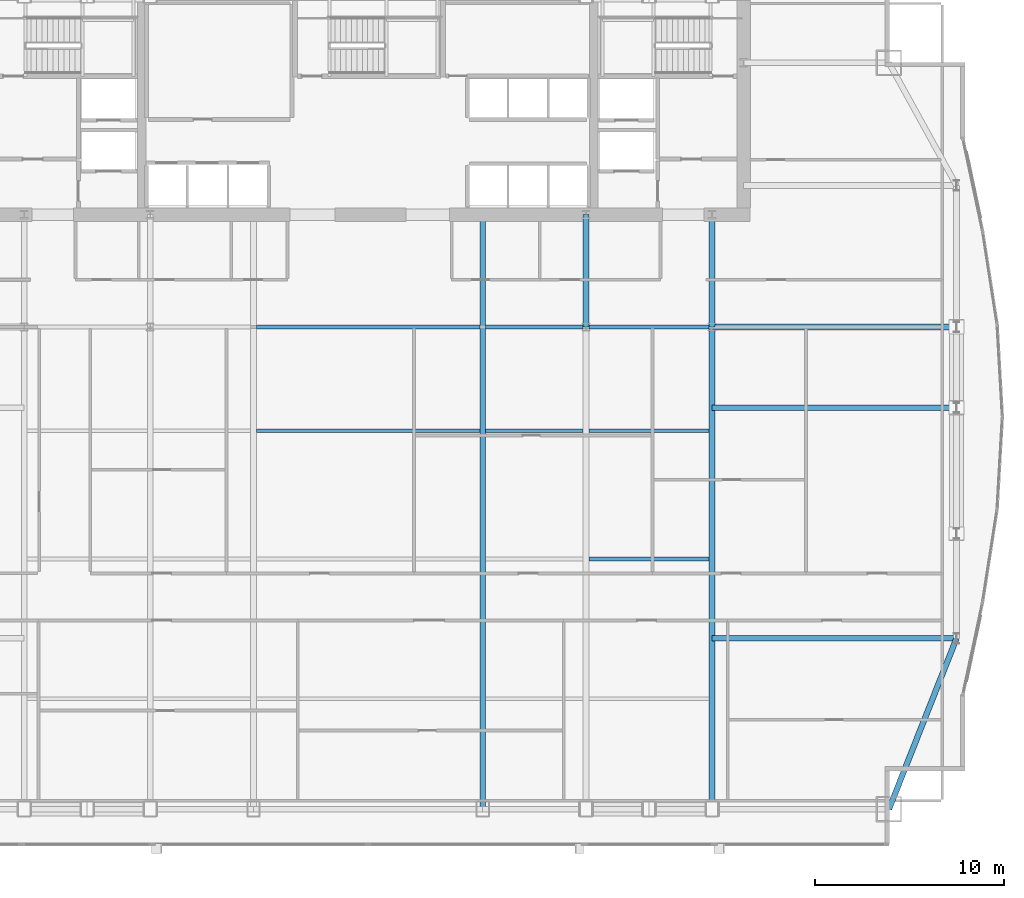
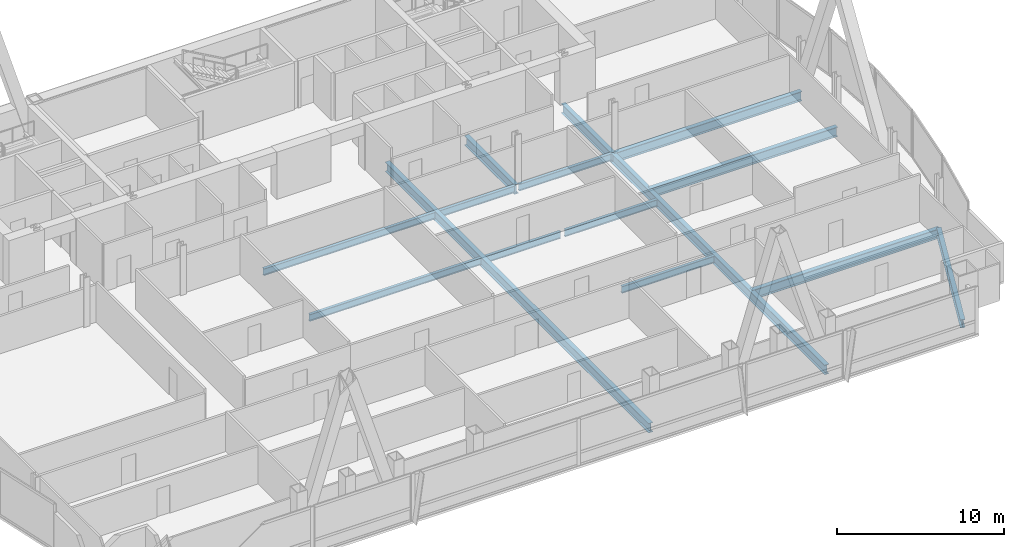
# One storey, part 16 of 30: 15 beams.
"""IFC4 building model written with IfcOpenShell, lengths in metres."""

from ifc_helpers import new_model, si_unit, direction, frame, origin, origin_2d, place, context, subcontext, project, spatial, i_section, extrude, material, material_profile, profile_set, type_object, element, save


model = new_model("IFC4")

# Units and contexts
model_context = context("Model", 3, precision=1e-05, world=origin(), true_north=direction((0.0, 1.0)))
body_context = subcontext(model_context, "Body", "Model", "MODEL_VIEW")
ifc_project = project(units=[si_unit("LENGTHUNIT", "METRE"), si_unit("AREAUNIT", "SQUARE_METRE"), si_unit("VOLUMEUNIT", "CUBIC_METRE"), si_unit("PLANEANGLEUNIT", "RADIAN"), si_unit("MASSUNIT", "GRAM", prefix="KILO")], contexts=[model_context])

# Site, building, storey
site_placement = place(None, origin())
site = spatial("IfcSite", under=ifc_project, at=site_placement, CompositionType="ELEMENT")
building_placement = place(site_placement, origin())
building = spatial("IfcBuilding", under=site, at=building_placement, Name="Khoronbel Lancet Exchange", CompositionType="ELEMENT")
storey_placement = place(building_placement, frame((0.0, 0.0, 157.800048828125)))
storey = spatial("IfcBuildingStorey", under=building, at=storey_placement, Name="L39", CompositionType="ELEMENT", Elevation=157.800048828125)

# Beams
ifc_material = material(Name="Steel S355", Category="steel")
ifc_material_profile_1 = material_profile(ifc_material, i_section(OverallWidth=0.300048828125, OverallDepth=0.699951171875, WebThickness=0.01708984375, FlangeThickness=0.031982421875, at=origin_2d()), Name="HEB 700")
ifc_profile_set_1 = profile_set([ifc_material_profile_1], Name="Steel S355")
beam_type_1 = type_object("IfcBeamType", Name="BM-BG3", PredefinedType="BEAM", material=ifc_profile_set_1)
beam_1_placement = place(storey_placement, frame((42.52490234375, 10.14990234375, -0.510009765625), z_axis=(0.0, 1.0, 0.0), x_axis=(-1.0, 0.0, 0.0)))
element("IfcBeam", 1, at=beam_1_placement, inside=storey, type_object=beam_type_1, Name="Level L39 primary floor girder G4", PredefinedType="BEAM", context=body_context, shape_type="SweptSolid", body=[
    extrude(i_section(OverallWidth=0.300048828125, OverallDepth=0.699951171875, WebThickness=0.01708984375, FlangeThickness=0.031982421875, at=origin_2d()), origin(), (0.0, 0.0, 1.0), 31.5),
])
beam_2_placement = place(storey_placement, frame((48.0, 35.699951171875, -0.510009765625), z_axis=(0.0, 1.0, 0.0), x_axis=(-1.0, 0.0, 0.0)))
element("IfcBeam", 2, at=beam_2_placement, inside=storey, type_object=beam_type_1, Name="Level L39 spine tie girder GN5", PredefinedType="BEAM", context=body_context, shape_type="SweptSolid", body=[
    extrude(i_section(OverallWidth=0.300048828125, OverallDepth=0.699951171875, WebThickness=0.01708984375, FlangeThickness=0.031982421875, at=origin_2d()), origin(), (0.0, 0.0, 1.0), 5.949951171875),
])
beam_3_placement = place(storey_placement, frame((54.675048828125, 10.14990234375, -0.510009765625), z_axis=(0.0, 1.0, 0.0), x_axis=(-1.0, 0.0, 0.0)))
element("IfcBeam", 3, at=beam_3_placement, inside=storey, type_object=beam_type_1, Name="Level L39 south primary girder GS6", PredefinedType="BEAM", context=body_context, shape_type="SweptSolid", body=[
    extrude(i_section(OverallWidth=0.300048828125, OverallDepth=0.699951171875, WebThickness=0.01708984375, FlangeThickness=0.031982421875, at=origin_2d()), origin(), (0.0, 0.0, 1.0), 25.550048828125),
])
beam_4_placement = place(storey_placement, frame((54.675048828125, 35.699951171875, -0.510009765625), z_axis=(0.0, 1.0, 0.0), x_axis=(-1.0, 0.0, 0.0)))
element("IfcBeam", 4, at=beam_4_placement, inside=storey, type_object=beam_type_1, Name="Level L39 spine tie girder GN6", PredefinedType="BEAM", context=body_context, shape_type="SweptSolid", body=[
    extrude(i_section(OverallWidth=0.300048828125, OverallDepth=0.699951171875, WebThickness=0.01708984375, FlangeThickness=0.031982421875, at=origin_2d()), origin(), (0.0, 0.0, 1.0), 5.949951171875),
])
for number, where, z_axis, x_axis, name in (
    (5, (54.675048828125, 19.199951171875, -0.510009765625), (1.0, 0.0, 0.0), (0.0, 1.0, 0.0), "Level L39 east lens tie girder LG1E"),
    (6, (54.675048828125, 31.425048828125, -0.510009765625), (1.0, 0.0, 0.0), (0.0, 1.0, 0.0), "Level L39 east lens tie girder LG2E"),
    (7, (54.675048828125, 35.699951171875, -0.510009765625), (1.0, 0.0, 0.0), (0.0, 1.0, 0.0), "Level L39 east lens tie girder LG4E"),
):
    element("IfcBeam", number, at=place(storey_placement, frame(where, z_axis=z_axis, x_axis=x_axis)), inside=storey, type_object=beam_type_1, Name=name, PredefinedType="BEAM", context=body_context, shape_type="SweptSolid", body=[
        extrude(i_section(OverallWidth=0.300048828125, OverallDepth=0.699951171875, WebThickness=0.01708984375, FlangeThickness=0.031982421875, at=origin_2d()), origin(), (0.0, 0.0, 1.0), 12.954833984375),
    ])
ifc_material_profile_2 = material_profile(ifc_material, i_section(OverallWidth=0.199951171875, OverallDepth=0.5, WebThickness=0.01025390625, FlangeThickness=0.01611328125, at=origin_2d()), Name="IPE 500")
ifc_profile_set_2 = profile_set([ifc_material_profile_2], Name="Steel S355")
beam_type_2 = type_object("IfcBeamType", Name="BM-BJ3", PredefinedType="JOIST", material=ifc_profile_set_2)
beam_5_placement = place(storey_placement, frame((48.14990234375, 23.39990234375, -0.41015625), z_axis=(1.0, 0.0, 0.0), x_axis=(0.0, 1.0, 0.0)))
element("IfcBeam", 8, at=beam_5_placement, inside=storey, type_object=beam_type_2, Name="Level L39 secondary composite joist J10", PredefinedType="JOIST", context=body_context, shape_type="SweptSolid", body=[
    extrude(i_section(OverallWidth=0.199951171875, OverallDepth=0.5, WebThickness=0.01025390625, FlangeThickness=0.01611328125, at=origin_2d()), origin(), (0.0, 0.0, 1.0), 6.375),
])
beam_6_placement = place(storey_placement, frame((30.52490234375, 30.199951171875, -0.41015625), z_axis=(1.0, 0.0, 0.0), x_axis=(0.0, 1.0, 0.0)))
element("IfcBeam", 9, at=beam_6_placement, inside=storey, type_object=beam_type_2, Name="Level L39 secondary composite joist J13", PredefinedType="JOIST", context=body_context, shape_type="SweptSolid", body=[
    extrude(i_section(OverallWidth=0.199951171875, OverallDepth=0.5, WebThickness=0.01025390625, FlangeThickness=0.01611328125, at=origin_2d()), origin(), (0.0, 0.0, 1.0), 11.85009765625),
])
beam_7_placement = place(storey_placement, frame((42.675048828125, 30.199951171875, -0.41015625), z_axis=(1.0, 0.0, 0.0), x_axis=(0.0, 1.0, 0.0)))
element("IfcBeam", 10, at=beam_7_placement, inside=storey, type_object=beam_type_2, Name="Level L39 secondary composite joist J14", PredefinedType="JOIST", context=body_context, shape_type="SweptSolid", body=[
    extrude(i_section(OverallWidth=0.199951171875, OverallDepth=0.5, WebThickness=0.01025390625, FlangeThickness=0.01611328125, at=origin_2d()), origin(), (0.0, 0.0, 1.0), 5.175048828125),
])
beam_8_placement = place(storey_placement, frame((48.14990234375, 30.199951171875, -0.41015625), z_axis=(1.0, 0.0, 0.0), x_axis=(0.0, 1.0, 0.0)))
element("IfcBeam", 11, at=beam_8_placement, inside=storey, type_object=beam_type_2, Name="Level L39 secondary composite joist J15", PredefinedType="JOIST", context=body_context, shape_type="SweptSolid", body=[
    extrude(i_section(OverallWidth=0.199951171875, OverallDepth=0.5, WebThickness=0.01025390625, FlangeThickness=0.01611328125, at=origin_2d()), origin(), (0.0, 0.0, 1.0), 6.375),
])
beam_9_placement = place(storey_placement, frame((30.52490234375, 35.699951171875, -0.41015625), z_axis=(1.0, 0.0, 0.0), x_axis=(0.0, 1.0, 0.0)))
element("IfcBeam", 12, at=beam_9_placement, inside=storey, type_object=beam_type_2, Name="Level L39 secondary composite joist J18", PredefinedType="JOIST", context=body_context, shape_type="SweptSolid", body=[
    extrude(i_section(OverallWidth=0.199951171875, OverallDepth=0.5, WebThickness=0.01025390625, FlangeThickness=0.01611328125, at=origin_2d()), origin(), (0.0, 0.0, 1.0), 11.85009765625),
])
beam_10_placement = place(storey_placement, frame((42.675048828125, 35.699951171875, -0.41015625), z_axis=(1.0, 0.0, 0.0), x_axis=(0.0, 1.0, 0.0)))
element("IfcBeam", 13, at=beam_10_placement, inside=storey, type_object=beam_type_2, Name="Level L39 secondary composite joist J19", PredefinedType="JOIST", context=body_context, shape_type="SweptSolid", body=[
    extrude(i_section(OverallWidth=0.199951171875, OverallDepth=0.5, WebThickness=0.01025390625, FlangeThickness=0.01611328125, at=origin_2d()), origin(), (0.0, 0.0, 1.0), 5.175048828125),
])
beam_11_placement = place(storey_placement, frame((48.14990234375, 35.699951171875, -0.41015625), z_axis=(1.0, 0.0, 0.0), x_axis=(0.0, 1.0, 0.0)))
element("IfcBeam", 14, at=beam_11_placement, inside=storey, type_object=beam_type_2, Name="Level L39 secondary composite joist J20", PredefinedType="JOIST", context=body_context, shape_type="SweptSolid", body=[
    extrude(i_section(OverallWidth=0.199951171875, OverallDepth=0.5, WebThickness=0.01025390625, FlangeThickness=0.01611328125, at=origin_2d()), origin(), (0.0, 0.0, 1.0), 6.375),
])
ifc_material_profile_3 = material_profile(ifc_material, i_section(OverallWidth=0.300048828125, OverallDepth=0.60009765625, WebThickness=0.015380859375, FlangeThickness=0.030029296875, at=origin_2d()), Name="HEB 600")
ifc_profile_set_3 = profile_set([ifc_material_profile_3], Name="Steel S355")
beam_type_3 = type_object("IfcBeamType", Name="BM-BSP2", PredefinedType="SPANDREL", material=ifc_profile_set_3)
beam_12_placement = place(storey_placement, frame((64.050048828125, 10.14990234375, -0.4599609375), z_axis=(0.367828403855, 0.929893684954, 0.0), x_axis=(-0.929893684954, 0.367828403855, 0.0)))
element("IfcBeam", 15, at=beam_12_placement, inside=storey, type_object=beam_type_3, Name="Level L39 perimeter spandrel beam SP10", PredefinedType="SPANDREL", context=body_context, shape_type="SweptSolid", body=[
    extrude(i_section(OverallWidth=0.300048828125, OverallDepth=0.60009765625, WebThickness=0.015380859375, FlangeThickness=0.030029296875, at=origin_2d()), origin(), (0.0, 0.0, 1.0), 9.732421875),
])

save(model, "model.ifc")
